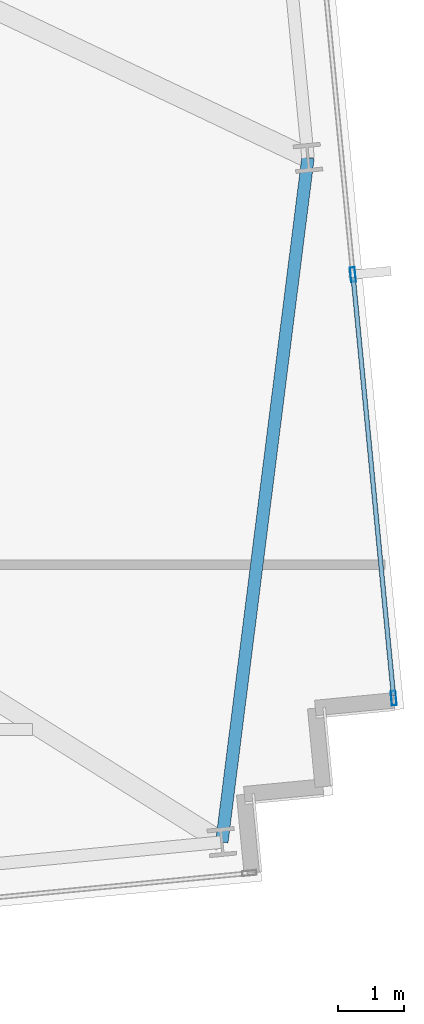
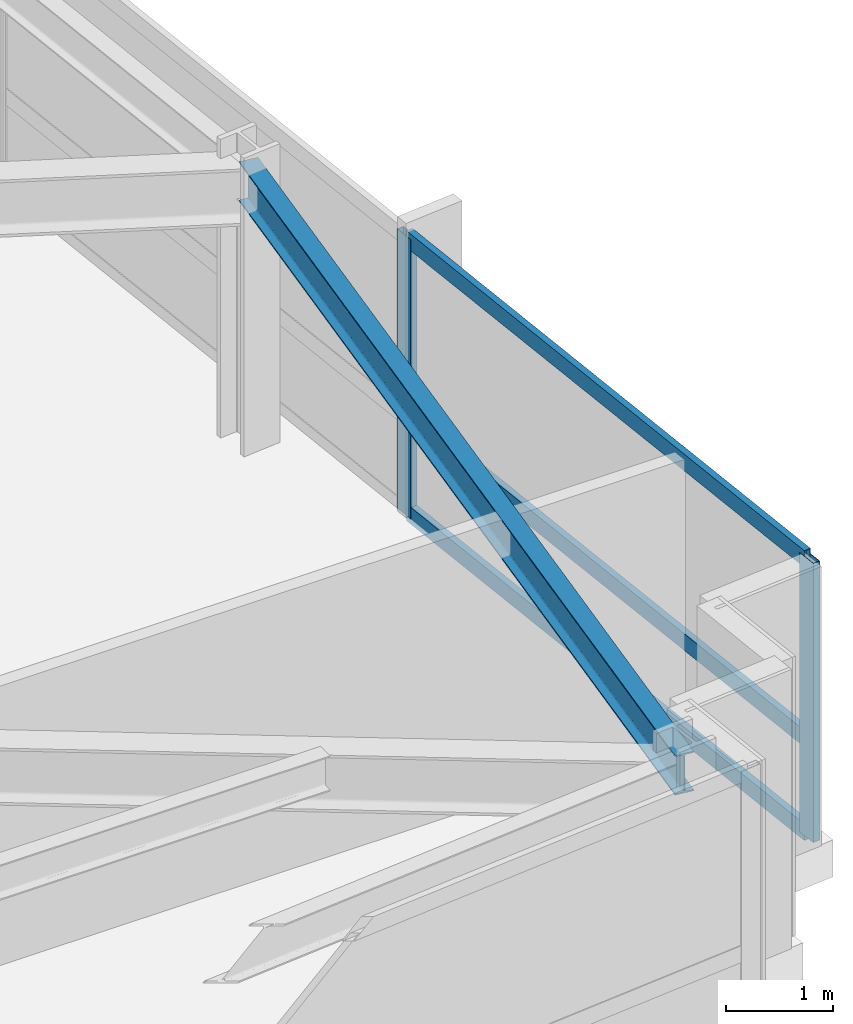
# One storey, part 15 of 33: 5 members, 1 beam, 1 element without a shape of its own.
"""IFC4 building model written with IfcOpenShell, lengths in metres."""

from ifc_helpers import new_model, si_unit, direction, frame, origin, origin_2d, place, context, subcontext, project, spatial, hollow_rectangle, i_section, extrude, material, material_profile, profile_set, type_object, element, aggregate, save


model = new_model("IFC4")

# Units and contexts
model_context = context("Model", 3, precision=1e-05, world=origin(), true_north=direction((0.0, 1.0)))
body_context = subcontext(model_context, "Body", "Model", "MODEL_VIEW")
ifc_project = project(units=[si_unit("LENGTHUNIT", "METRE"), si_unit("AREAUNIT", "SQUARE_METRE"), si_unit("VOLUMEUNIT", "CUBIC_METRE"), si_unit("PLANEANGLEUNIT", "RADIAN"), si_unit("MASSUNIT", "GRAM", prefix="KILO")], contexts=[model_context])

# Site, building, storey
site_placement = place(None, origin())
site = spatial("IfcSite", under=ifc_project, at=site_placement, CompositionType="ELEMENT")
building_placement = place(site_placement, origin())
building = spatial("IfcBuilding", under=site, at=building_placement, Name="Yelkora Congress Tower", CompositionType="ELEMENT")
storey_placement = place(building_placement, frame((0.0, 0.0, 89.699951171875)))
storey = spatial("IfcBuildingStorey", under=building, at=storey_placement, Name="L23", CompositionType="ELEMENT", Elevation=89.699951171875)

# Beam
ifc_material_1 = material(Name="Steel S355J2", Category="steel")
ifc_material_profile_1 = material_profile(ifc_material_1, i_section(OverallWidth=0.18994140625, OverallDepth=0.449951171875, WebThickness=0.009521484375, FlangeThickness=0.0146484375, FilletRadius=0.02099609375, at=origin_2d()), Name="IPE 450")
ifc_profile_set_1 = profile_set([ifc_material_profile_1], Name="Steel S355J2")
beam_type = type_object("IfcBeamType", Name="BM-SPAN-IPE450", PredefinedType="SPANDREL", material=ifc_profile_set_1)
beam_placement = place(storey_placement, frame((74.73193359375, 14.43505859375, 2.955078125), z_axis=(0.124929198684, 0.99216565921, 0.0), x_axis=(-0.99216565921, 0.124929198684, 0.0)))
element("IfcBeam", 1, at=beam_placement, inside=storey, type_object=beam_type, Name="L23 Perimeter Beam 10", PredefinedType="SPANDREL", context=body_context, shape_type="SweptSolid", body=[
    extrude(i_section(OverallWidth=0.18994140625, OverallDepth=0.449951171875, WebThickness=0.009521484375, FlangeThickness=0.0146484375, FilletRadius=0.02099609375, at=origin_2d()), origin(), (0.0, 0.0, 1.0), 10.48046875),
])

# Curtain wall, members
ifc_material_2 = material(Name="Anodised aluminium and insulated glass", Category="aluminium")
curtain_wall_type = type_object("IfcCurtainWallType", Name="CW-SYS-SKY", PredefinedType="NOTDEFINED", material=ifc_material_2)
curtain_wall_placement = place(storey_placement, origin())
curtain_wall = element("IfcCurtainWall", 2, at=curtain_wall_placement, inside=storey, type_object=curtain_wall_type, Name="L23 Unitised Curtain Wall 15", PredefinedType="NOTDEFINED")
ifc_material_3 = material(Name="Anodised aluminium 6063-T6", Category="aluminium")
ifc_material_profile_2 = material_profile(ifc_material_3, hollow_rectangle(XDim=0.074951171875, YDim=0.219970703125, WallThickness=0.0048828125, at=origin_2d()), Name="ALU 75x220x5")
ifc_profile_set_2 = profile_set([ifc_material_profile_2], Name="Anodised aluminium 6063-T6")
member_type_1 = type_object("IfcMemberType", Name="MEM-ML-SKY", PredefinedType="MULLION", material=ifc_profile_set_2)
member_1_placement = place(storey_placement, frame((76.724365234375, 23.059814453125, 0.0), z_axis=(0.0, 0.0, 1.0), x_axis=(0.995396507508, 0.095842541913, 0.0)))
member_1 = element("IfcMember", 3, at=member_1_placement, type_object=member_type_1, Name="CW-SKY mullion 5", PredefinedType="MULLION", context=body_context, shape_type="SweptSolid", body=[
    extrude(hollow_rectangle(XDim=0.074951171875, YDim=0.219970703125, WallThickness=0.0048828125, at=origin_2d()), origin(), (0.0, 0.0, 1.0), 3.179931640625),
])
member_2_placement = place(storey_placement, frame((77.343994140625, 16.623046875, 0.0), z_axis=(0.0, 0.0, 1.0), x_axis=(0.995396507508, 0.095842541913, 0.0)))
member_2 = element("IfcMember", 4, at=member_2_placement, type_object=member_type_1, Name="CW-SKY mullion 6", PredefinedType="MULLION", context=body_context, shape_type="SweptSolid", body=[
    extrude(hollow_rectangle(XDim=0.074951171875, YDim=0.219970703125, WallThickness=0.0048828125, at=origin_2d()), origin(), (0.0, 0.0, 1.0), 3.179931640625),
])
ifc_material_profile_3 = material_profile(ifc_material_3, hollow_rectangle(XDim=0.070068359375, YDim=0.18994140625, WallThickness=0.00390625, at=origin_2d()), Name="ALU 70x190x4")
ifc_profile_set_3 = profile_set([ifc_material_profile_3], Name="Anodised aluminium 6063-T6")
member_type_2 = type_object("IfcMemberType", Name="MEM-TR-SKY", PredefinedType="USERDEFINED", material=ifc_profile_set_3)
member_3_placement = place(storey_placement, frame((76.72802734375, 23.0224609375, 0.03515625), z_axis=(0.095838322904, -0.99539691373, 0.0), x_axis=(0.99539691373, 0.095838322904, 0.0)))
member_3 = element("IfcMember", 5, at=member_3_placement, type_object=member_type_2, Name="CW-SKY transom 5.1", ObjectType="TRANSOM", PredefinedType="USERDEFINED", context=body_context, shape_type="SweptSolid", body=[
    extrude(hollow_rectangle(XDim=0.070068359375, YDim=0.18994140625, WallThickness=0.00390625, at=origin_2d()), origin(), (0.0, 0.0, 1.0), 6.3916015625),
])
member_4_placement = place(storey_placement, frame((76.72802734375, 23.0224609375, 1.10009765625), z_axis=(0.095838322904, -0.99539691373, 0.0), x_axis=(0.99539691373, 0.095838322904, 0.0)))
member_4 = element("IfcMember", 6, at=member_4_placement, type_object=member_type_2, Name="CW-SKY transom 5.2", ObjectType="TRANSOM", PredefinedType="USERDEFINED", context=body_context, shape_type="SweptSolid", body=[
    extrude(hollow_rectangle(XDim=0.070068359375, YDim=0.18994140625, WallThickness=0.00390625, at=origin_2d()), origin(), (0.0, 0.0, 1.0), 6.3916015625),
])
member_5_placement = place(storey_placement, frame((76.72802734375, 23.0224609375, 3.14501953125), z_axis=(0.095838322904, -0.99539691373, 0.0), x_axis=(0.99539691373, 0.095838322904, 0.0)))
member_5 = element("IfcMember", 7, at=member_5_placement, type_object=member_type_2, Name="CW-SKY transom 5.3", ObjectType="TRANSOM", PredefinedType="USERDEFINED", context=body_context, shape_type="SweptSolid", body=[
    extrude(hollow_rectangle(XDim=0.070068359375, YDim=0.18994140625, WallThickness=0.00390625, at=origin_2d()), origin(), (0.0, 0.0, 1.0), 6.3916015625),
])
aggregate(curtain_wall, [member_1, member_2, member_3, member_4, member_5])

save(model, "model.ifc")
